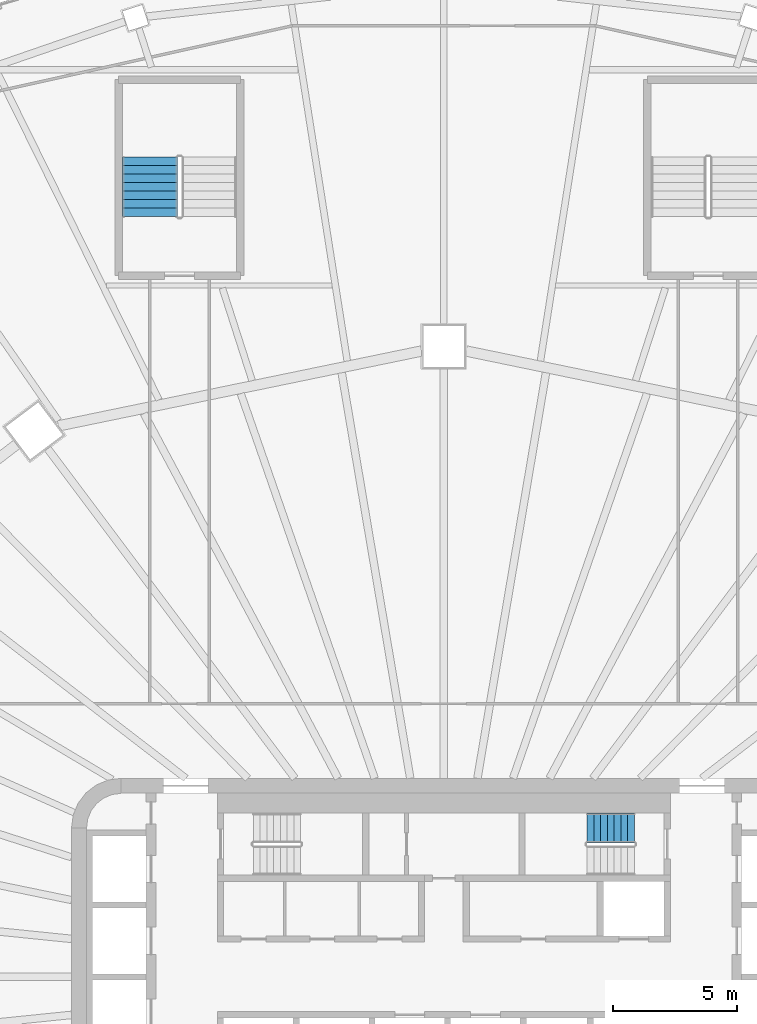
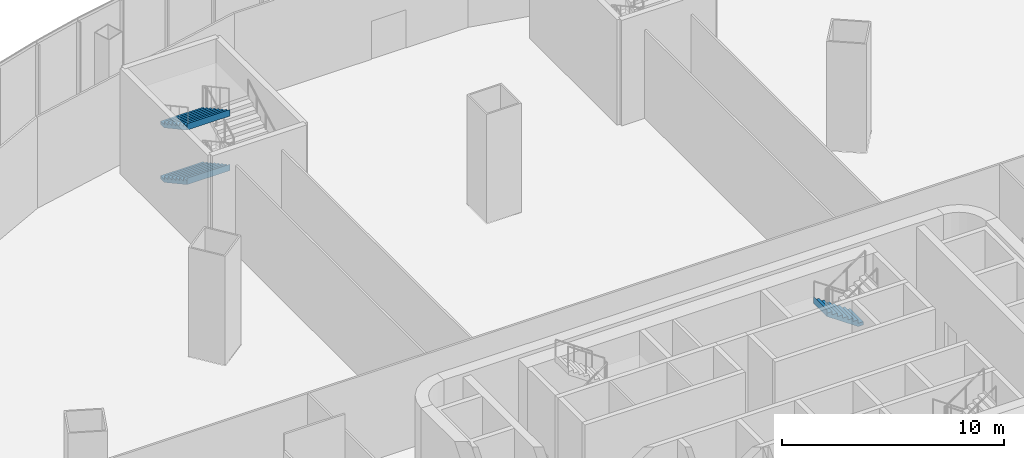
# One storey, part 32 of 37: 3 stair flights, 2 elements without a shape of their own.
"""IFC4 building model written with IfcOpenShell, lengths in metres."""

from ifc_helpers import new_model, si_unit, direction, frame, origin, place, context, subcontext, project, spatial, triangles, material, type_object, element, aggregate, save


model = new_model("IFC4")

# Units and contexts
model_context = context("Model", 3, precision=1e-05, world=origin(), true_north=direction((0.0, 1.0)))
body_context = subcontext(model_context, "Body", "Model", "MODEL_VIEW")
ifc_project = project(units=[si_unit("LENGTHUNIT", "METRE"), si_unit("AREAUNIT", "SQUARE_METRE"), si_unit("VOLUMEUNIT", "CUBIC_METRE"), si_unit("PLANEANGLEUNIT", "RADIAN"), si_unit("MASSUNIT", "GRAM", prefix="KILO")], contexts=[model_context])

# Site, building, storey
site_placement = place(None, origin())
site = spatial("IfcSite", under=ifc_project, at=site_placement, CompositionType="ELEMENT")
building_placement = place(site_placement, origin())
building = spatial("IfcBuilding", under=site, at=building_placement, Name="Sahrelin Media Tower", CompositionType="ELEMENT")
storey_placement = place(building_placement, frame((0.0, 0.0, 31.39990234375)))
storey = spatial("IfcBuildingStorey", under=building, at=storey_placement, Name="L04", CompositionType="ELEMENT", Elevation=31.39990234375)

# Stair, stair flight
ifc_material = material(Name="Concrete C40/50", Category="concrete")
stair_type_1 = type_object("IfcStairType", Name="Exit stair 1200", PredefinedType="HALF_TURN_STAIR", material=ifc_material)
placement = place(storey_placement, origin())
stair_1 = element("IfcStair", 1, at=placement, inside=storey, type_object=stair_type_1, Name="L04 Exit stair ST3", PredefinedType="HALF_TURN_STAIR")
stair_flight_type_1 = type_object("IfcStairFlightType", Name="Stair flight 1200", PredefinedType="STRAIGHT", material=ifc_material)
stair_flight_1_placement = place(storey_placement, frame((7.675048828125, 6.0, 3.0), z_axis=(0.0, 0.0, 1.0), x_axis=(-1.0, 0.0, 0.0)))
stair_flight_1 = element("IfcStairFlight", 2, at=stair_flight_1_placement, type_object=stair_flight_type_1, Name="ST3 flight 3", NumberOfRisers=8, NumberOfTreads=7, PredefinedType="STRAIGHT", RiserHeight=0.1875, TreadLength=0.271428571, context=body_context, shape_type="Tessellation", body=[
    triangles([(0.263671875, 0.60009765625, 0.0), (0.263671875, 0.300048828125, 0.0), (0.263671875, 0.0, 0.0), (0.263671875, -0.300048828125, 0.0), (0.263671875, -0.60009765625, 0.0), (1.89990234375, 0.60009765625, 1.13037109375), (1.89990234375, 0.300048828125, 1.13037109375), (1.89990234375, 0.0, 1.13037109375), (1.89990234375, -0.300048828125, 1.13037109375), (1.89990234375, -0.60009765625, 1.13037109375), (1.89990234375, 0.60009765625, 1.5), (1.89990234375, 0.300048828125, 1.5), (1.89990234375, 0.0, 1.5), (1.89990234375, -0.300048828125, 1.5), (1.89990234375, -0.60009765625, 1.5), (1.89794921875, 0.60009765625, 1.5), (1.89794921875, 0.300048828125, 1.5), (1.89794921875, 0.0, 1.5), (1.89794921875, -0.300048828125, 1.5), (1.89794921875, -0.60009765625, 1.5), (1.89794921875, 0.60009765625, 1.3125), (1.89794921875, 0.300048828125, 1.3125), (1.89794921875, 0.0, 1.3125), (1.89794921875, -0.300048828125, 1.3125), (1.89794921875, -0.60009765625, 1.3125), (1.628662109375, 0.60009765625, 1.3125), (1.628662109375, 0.300048828125, 1.3125), (1.628662109375, 0.0, 1.3125), (1.628662109375, -0.300048828125, 1.3125), (1.628662109375, -0.60009765625, 1.3125), (1.628662109375, 0.60009765625, 1.125), (1.628662109375, 0.300048828125, 1.125), (1.628662109375, 0.0, 1.125), (1.628662109375, -0.300048828125, 1.125), (1.628662109375, -0.60009765625, 1.125), (1.357177734375, 0.60009765625, 1.125), (1.357177734375, 0.300048828125, 1.125), (1.357177734375, 0.0, 1.125), (1.357177734375, -0.300048828125, 1.125), (1.357177734375, -0.60009765625, 1.125), (1.357177734375, 0.60009765625, 0.9375), (1.357177734375, 0.300048828125, 0.9375), (1.357177734375, 0.0, 0.9375), (1.357177734375, -0.300048828125, 0.9375), (1.357177734375, -0.60009765625, 0.9375), (1.085693359375, 0.60009765625, 0.9375), (1.085693359375, 0.300048828125, 0.9375), (1.085693359375, 0.0, 0.9375), (1.085693359375, -0.300048828125, 0.9375), (1.085693359375, -0.60009765625, 0.9375), (1.085693359375, 0.60009765625, 0.75), (1.085693359375, 0.300048828125, 0.75), (1.085693359375, 0.0, 0.75), (1.085693359375, -0.300048828125, 0.75), (1.085693359375, -0.60009765625, 0.75), (0.814208984375, 0.60009765625, 0.75), (0.814208984375, 0.300048828125, 0.75), (0.814208984375, 0.0, 0.75), (0.814208984375, -0.300048828125, 0.75), (0.814208984375, -0.60009765625, 0.75), (0.814208984375, 0.60009765625, 0.5625), (0.814208984375, 0.300048828125, 0.5625), (0.814208984375, 0.0, 0.5625), (0.814208984375, -0.300048828125, 0.5625), (0.814208984375, -0.60009765625, 0.5625), (0.54296875, 0.60009765625, 0.5625), (0.54296875, 0.300048828125, 0.5625), (0.54296875, 0.0, 0.5625), (0.54296875, -0.300048828125, 0.5625), (0.54296875, -0.60009765625, 0.5625), (0.54296875, 0.60009765625, 0.375), (0.54296875, 0.300048828125, 0.375), (0.54296875, 0.0, 0.375), (0.54296875, -0.300048828125, 0.375), (0.54296875, -0.60009765625, 0.375), (0.271484375, 0.60009765625, 0.375), (0.271484375, 0.300048828125, 0.375), (0.271484375, 0.0, 0.375), (0.271484375, -0.300048828125, 0.375), (0.271484375, -0.60009765625, 0.375), (0.271484375, 0.60009765625, 0.1875), (0.271484375, 0.300048828125, 0.1875), (0.271484375, 0.0, 0.1875), (0.271484375, -0.300048828125, 0.1875), (0.271484375, -0.60009765625, 0.1875), (0.0, 0.60009765625, 0.1875), (0.0, 0.300048828125, 0.1875), (0.0, 0.0, 0.1875), (0.0, -0.300048828125, 0.1875), (0.0, -0.60009765625, 0.1875), (0.0, 0.60009765625, 0.0), (0.0, 0.300048828125, 0.0), (0.0, 0.0, 0.0), (0.0, -0.300048828125, 0.0), (0.0, -0.60009765625, 0.0)], [[1, 6, 7], [1, 7, 2], [2, 7, 8], [2, 8, 3], [3, 8, 9], [3, 9, 4], [4, 9, 10], [4, 10, 5], [6, 11, 12], [6, 12, 7], [7, 12, 13], [7, 13, 8], [8, 13, 14], [8, 14, 9], [9, 14, 15], [9, 15, 10], [11, 16, 17], [11, 17, 12], [12, 17, 18], [12, 18, 13], [13, 18, 19], [13, 19, 14], [14, 19, 20], [14, 20, 15], [16, 21, 22], [16, 22, 17], [17, 22, 23], [17, 23, 18], [18, 23, 24], [18, 24, 19], [19, 24, 25], [19, 25, 20], [21, 26, 27], [21, 27, 22], [22, 27, 28], [22, 28, 23], [23, 28, 29], [23, 29, 24], [24, 29, 30], [24, 30, 25], [26, 31, 32], [26, 32, 27], [27, 32, 33], [27, 33, 28], [28, 33, 34], [28, 34, 29], [29, 34, 35], [29, 35, 30], [31, 36, 37], [31, 37, 32], [32, 37, 38], [32, 38, 33], [33, 38, 39], [33, 39, 34], [34, 39, 40], [34, 40, 35], [36, 41, 42], [36, 42, 37], [37, 42, 43], [37, 43, 38], [38, 43, 44], [38, 44, 39], [39, 44, 45], [39, 45, 40], [41, 46, 47], [41, 47, 42], [42, 47, 48], [42, 48, 43], [43, 48, 49], [43, 49, 44], [44, 49, 50], [44, 50, 45], [46, 51, 52], [46, 52, 47], [47, 52, 53], [47, 53, 48], [48, 53, 54], [48, 54, 49], [49, 54, 55], [49, 55, 50], [51, 56, 57], [51, 57, 52], [52, 57, 58], [52, 58, 53], [53, 58, 59], [53, 59, 54], [54, 59, 60], [54, 60, 55], [56, 61, 62], [56, 62, 57], [57, 62, 63], [57, 63, 58], [58, 63, 64], [58, 64, 59], [59, 64, 65], [59, 65, 60], [61, 66, 67], [61, 67, 62], [62, 67, 68], [62, 68, 63], [63, 68, 69], [63, 69, 64], [64, 69, 70], [64, 70, 65], [66, 71, 72], [66, 72, 67], [67, 72, 73], [67, 73, 68], [68, 73, 74], [68, 74, 69], [69, 74, 75], [69, 75, 70], [71, 76, 77], [71, 77, 72], [72, 77, 78], [72, 78, 73], [73, 78, 79], [73, 79, 74], [74, 79, 80], [74, 80, 75], [76, 81, 82], [76, 82, 77], [77, 82, 83], [77, 83, 78], [78, 83, 84], [78, 84, 79], [79, 84, 85], [79, 85, 80], [81, 86, 87], [81, 87, 82], [82, 87, 88], [82, 88, 83], [83, 88, 89], [83, 89, 84], [84, 89, 90], [84, 90, 85], [86, 91, 92], [86, 92, 87], [87, 92, 93], [87, 93, 88], [88, 93, 94], [88, 94, 89], [89, 94, 95], [89, 95, 90], [91, 1, 2], [91, 2, 92], [92, 2, 3], [92, 3, 93], [93, 3, 4], [93, 4, 94], [94, 4, 5], [94, 5, 95], [5, 90, 95], [1, 91, 86], [85, 75, 80], [81, 76, 71], [75, 65, 70], [71, 66, 61], [65, 55, 60], [61, 56, 51], [55, 45, 50], [51, 46, 41], [45, 35, 40], [41, 36, 31], [10, 25, 30], [6, 26, 21], [25, 15, 20], [21, 16, 11], [5, 85, 90], [1, 86, 81], [55, 65, 5], [51, 1, 61], [10, 35, 45], [6, 41, 31], [25, 10, 15], [21, 11, 6], [75, 85, 5], [71, 1, 81], [45, 55, 10], [41, 6, 51], [30, 35, 10], [26, 6, 31], [65, 75, 5], [61, 1, 71], [5, 10, 55], [1, 51, 6]], closed=True),
])
aggregate(stair_1, [stair_flight_1])

# Stair, stair flights
stair_type_2 = type_object("IfcStairType", Name="Podium stair 2225", PredefinedType="HALF_TURN_STAIR", material=ifc_material)
stair_2 = element("IfcStair", 3, at=placement, inside=storey, type_object=stair_type_2, Name="L04 Podium stair PS2", PredefinedType="HALF_TURN_STAIR")
stair_flight_type_2 = type_object("IfcStairFlightType", Name="Stair flight 2225", PredefinedType="STRAIGHT", material=ifc_material)
stair_flight_2_placement = place(storey_placement, frame((-11.83740234375, 33.02490234375, 1.5), z_axis=(0.0, 0.0, 1.0), x_axis=(0.0, -1.0, 0.0)))
stair_flight_2 = element("IfcStairFlight", 4, at=stair_flight_2_placement, type_object=stair_flight_type_2, Name="PS2 flight 2", NumberOfRisers=8, NumberOfTreads=7, PredefinedType="STRAIGHT", RiserHeight=0.1875, TreadLength=0.342857143, context=body_context, shape_type="Tessellation", body=[
    triangles([(0.3125, 1.112548828125, 0.0), (0.3125, 0.794677734375, 0.0), (0.3125, 0.476806640625, 0.0), (0.3125, 0.158935546875, 0.0), (0.3125, -0.158935546875, 0.0), (0.3125, -0.476806640625, 0.0), (0.3125, -0.794677734375, 0.0), (0.3125, -1.112548828125, 0.0), (2.39990234375, 1.112548828125, 1.1416015625), (2.39990234375, 0.794677734375, 1.1416015625), (2.39990234375, 0.476806640625, 1.1416015625), (2.39990234375, 0.158935546875, 1.1416015625), (2.39990234375, -0.158935546875, 1.1416015625), (2.39990234375, -0.476806640625, 1.1416015625), (2.39990234375, -0.794677734375, 1.1416015625), (2.39990234375, -1.112548828125, 1.1416015625), (2.39990234375, 1.112548828125, 1.5), (2.39990234375, 0.794677734375, 1.5), (2.39990234375, 0.476806640625, 1.5), (2.39990234375, 0.158935546875, 1.5), (2.39990234375, -0.158935546875, 1.5), (2.39990234375, -0.476806640625, 1.5), (2.39990234375, -0.794677734375, 1.5), (2.39990234375, -1.112548828125, 1.5), (2.39794921875, 1.112548828125, 1.5), (2.39794921875, 0.794677734375, 1.5), (2.39794921875, 0.476806640625, 1.5), (2.39794921875, 0.158935546875, 1.5), (2.39794921875, -0.158935546875, 1.5), (2.39794921875, -0.476806640625, 1.5), (2.39794921875, -0.794677734375, 1.5), (2.39794921875, -1.112548828125, 1.5), (2.39794921875, 1.112548828125, 1.3125), (2.39794921875, 0.794677734375, 1.3125), (2.39794921875, 0.476806640625, 1.3125), (2.39794921875, 0.158935546875, 1.3125), (2.39794921875, -0.158935546875, 1.3125), (2.39794921875, -0.476806640625, 1.3125), (2.39794921875, -0.794677734375, 1.3125), (2.39794921875, -1.112548828125, 1.3125), (2.05712890625, 1.112548828125, 1.3125), (2.05712890625, 0.794677734375, 1.3125), (2.05712890625, 0.476806640625, 1.3125), (2.05712890625, 0.158935546875, 1.3125), (2.05712890625, -0.158935546875, 1.3125), (2.05712890625, -0.476806640625, 1.3125), (2.05712890625, -0.794677734375, 1.3125), (2.05712890625, -1.112548828125, 1.3125), (2.05712890625, 1.112548828125, 1.125), (2.05712890625, 0.794677734375, 1.125), (2.05712890625, 0.476806640625, 1.125), (2.05712890625, 0.158935546875, 1.125), (2.05712890625, -0.158935546875, 1.125), (2.05712890625, -0.476806640625, 1.125), (2.05712890625, -0.794677734375, 1.125), (2.05712890625, -1.112548828125, 1.125), (1.71435546875, 1.112548828125, 1.125), (1.71435546875, 0.794677734375, 1.125), (1.71435546875, 0.476806640625, 1.125), (1.71435546875, 0.158935546875, 1.125), (1.71435546875, -0.158935546875, 1.125), (1.71435546875, -0.476806640625, 1.125), (1.71435546875, -0.794677734375, 1.125), (1.71435546875, -1.112548828125, 1.125), (1.71435546875, 1.112548828125, 0.9375), (1.71435546875, 0.794677734375, 0.9375), (1.71435546875, 0.476806640625, 0.9375), (1.71435546875, 0.158935546875, 0.9375), (1.71435546875, -0.158935546875, 0.9375), (1.71435546875, -0.476806640625, 0.9375), (1.71435546875, -0.794677734375, 0.9375), (1.71435546875, -1.112548828125, 0.9375), (1.371337890625, 1.112548828125, 0.9375), (1.371337890625, 0.794677734375, 0.9375), (1.371337890625, 0.476806640625, 0.9375), (1.371337890625, 0.158935546875, 0.9375), (1.371337890625, -0.158935546875, 0.9375), (1.371337890625, -0.476806640625, 0.9375), (1.371337890625, -0.794677734375, 0.9375), (1.371337890625, -1.112548828125, 0.9375), (1.371337890625, 1.112548828125, 0.75), (1.371337890625, 0.794677734375, 0.75), (1.371337890625, 0.476806640625, 0.75), (1.371337890625, 0.158935546875, 0.75), (1.371337890625, -0.158935546875, 0.75), (1.371337890625, -0.476806640625, 0.75), (1.371337890625, -0.794677734375, 0.75), (1.371337890625, -1.112548828125, 0.75), (1.028564453125, 1.112548828125, 0.75), (1.028564453125, 0.794677734375, 0.75), (1.028564453125, 0.476806640625, 0.75), (1.028564453125, 0.158935546875, 0.75), (1.028564453125, -0.158935546875, 0.75), (1.028564453125, -0.476806640625, 0.75), (1.028564453125, -0.794677734375, 0.75), (1.028564453125, -1.112548828125, 0.75), (1.028564453125, 1.112548828125, 0.5625), (1.028564453125, 0.794677734375, 0.5625), (1.028564453125, 0.476806640625, 0.5625), (1.028564453125, 0.158935546875, 0.5625), (1.028564453125, -0.158935546875, 0.5625), (1.028564453125, -0.476806640625, 0.5625), (1.028564453125, -0.794677734375, 0.5625), (1.028564453125, -1.112548828125, 0.5625), (0.685791015625, 1.112548828125, 0.5625), (0.685791015625, 0.794677734375, 0.5625), (0.685791015625, 0.476806640625, 0.5625), (0.685791015625, 0.158935546875, 0.5625), (0.685791015625, -0.158935546875, 0.5625), (0.685791015625, -0.476806640625, 0.5625), (0.685791015625, -0.794677734375, 0.5625), (0.685791015625, -1.112548828125, 0.5625), (0.685791015625, 1.112548828125, 0.375), (0.685791015625, 0.794677734375, 0.375), (0.685791015625, 0.476806640625, 0.375), (0.685791015625, 0.158935546875, 0.375), (0.685791015625, -0.158935546875, 0.375), (0.685791015625, -0.476806640625, 0.375), (0.685791015625, -0.794677734375, 0.375), (0.685791015625, -1.112548828125, 0.375), (0.3427734375, 1.112548828125, 0.375), (0.3427734375, 0.794677734375, 0.375), (0.3427734375, 0.476806640625, 0.375), (0.3427734375, 0.158935546875, 0.375), (0.3427734375, -0.158935546875, 0.375), (0.3427734375, -0.476806640625, 0.375), (0.3427734375, -0.794677734375, 0.375), (0.3427734375, -1.112548828125, 0.375), (0.3427734375, 1.112548828125, 0.1875), (0.3427734375, 0.794677734375, 0.1875), (0.3427734375, 0.476806640625, 0.1875), (0.3427734375, 0.158935546875, 0.1875), (0.3427734375, -0.158935546875, 0.1875), (0.3427734375, -0.476806640625, 0.1875), (0.3427734375, -0.794677734375, 0.1875), (0.3427734375, -1.112548828125, 0.1875), (0.0, 1.112548828125, 0.1875), (0.0, 0.794677734375, 0.1875), (0.0, 0.476806640625, 0.1875), (0.0, 0.158935546875, 0.1875), (0.0, -0.158935546875, 0.1875), (0.0, -0.476806640625, 0.1875), (0.0, -0.794677734375, 0.1875), (0.0, -1.112548828125, 0.1875), (0.0, 1.112548828125, 0.0), (0.0, 0.794677734375, 0.0), (0.0, 0.476806640625, 0.0), (0.0, 0.158935546875, 0.0), (0.0, -0.158935546875, 0.0), (0.0, -0.476806640625, 0.0), (0.0, -0.794677734375, 0.0), (0.0, -1.112548828125, 0.0)], [[1, 9, 10], [1, 10, 2], [2, 10, 11], [2, 11, 3], [3, 11, 12], [3, 12, 4], [4, 12, 13], [4, 13, 5], [5, 13, 14], [5, 14, 6], [6, 14, 15], [6, 15, 7], [7, 15, 16], [7, 16, 8], [9, 17, 18], [9, 18, 10], [10, 18, 19], [10, 19, 11], [11, 19, 20], [11, 20, 12], [12, 20, 21], [12, 21, 13], [13, 21, 22], [13, 22, 14], [14, 22, 23], [14, 23, 15], [15, 23, 24], [15, 24, 16], [17, 25, 26], [17, 26, 18], [18, 26, 27], [18, 27, 19], [19, 27, 28], [19, 28, 20], [20, 28, 29], [20, 29, 21], [21, 29, 30], [21, 30, 22], [22, 30, 31], [22, 31, 23], [23, 31, 32], [23, 32, 24], [25, 33, 34], [25, 34, 26], [26, 34, 35], [26, 35, 27], [27, 35, 36], [27, 36, 28], [28, 36, 37], [28, 37, 29], [29, 37, 38], [29, 38, 30], [30, 38, 39], [30, 39, 31], [31, 39, 40], [31, 40, 32], [33, 41, 42], [33, 42, 34], [34, 42, 43], [34, 43, 35], [35, 43, 44], [35, 44, 36], [36, 44, 45], [36, 45, 37], [37, 45, 46], [37, 46, 38], [38, 46, 47], [38, 47, 39], [39, 47, 48], [39, 48, 40], [41, 49, 50], [41, 50, 42], [42, 50, 51], [42, 51, 43], [43, 51, 52], [43, 52, 44], [44, 52, 53], [44, 53, 45], [45, 53, 54], [45, 54, 46], [46, 54, 55], [46, 55, 47], [47, 55, 56], [47, 56, 48], [49, 57, 58], [49, 58, 50], [50, 58, 59], [50, 59, 51], [51, 59, 60], [51, 60, 52], [52, 60, 61], [52, 61, 53], [53, 61, 62], [53, 62, 54], [54, 62, 63], [54, 63, 55], [55, 63, 64], [55, 64, 56], [57, 65, 66], [57, 66, 58], [58, 66, 67], [58, 67, 59], [59, 67, 68], [59, 68, 60], [60, 68, 69], [60, 69, 61], [61, 69, 70], [61, 70, 62], [62, 70, 71], [62, 71, 63], [63, 71, 72], [63, 72, 64], [65, 73, 74], [65, 74, 66], [66, 74, 75], [66, 75, 67], [67, 75, 76], [67, 76, 68], [68, 76, 77], [68, 77, 69], [69, 77, 78], [69, 78, 70], [70, 78, 79], [70, 79, 71], [71, 79, 80], [71, 80, 72], [73, 81, 82], [73, 82, 74], [74, 82, 83], [74, 83, 75], [75, 83, 84], [75, 84, 76], [76, 84, 85], [76, 85, 77], [77, 85, 86], [77, 86, 78], [78, 86, 87], [78, 87, 79], [79, 87, 88], [79, 88, 80], [81, 89, 90], [81, 90, 82], [82, 90, 91], [82, 91, 83], [83, 91, 92], [83, 92, 84], [84, 92, 93], [84, 93, 85], [85, 93, 94], [85, 94, 86], [86, 94, 95], [86, 95, 87], [87, 95, 96], [87, 96, 88], [89, 97, 98], [89, 98, 90], [90, 98, 99], [90, 99, 91], [91, 99, 100], [91, 100, 92], [92, 100, 101], [92, 101, 93], [93, 101, 102], [93, 102, 94], [94, 102, 103], [94, 103, 95], [95, 103, 104], [95, 104, 96], [97, 105, 106], [97, 106, 98], [98, 106, 107], [98, 107, 99], [99, 107, 108], [99, 108, 100], [100, 108, 109], [100, 109, 101], [101, 109, 110], [101, 110, 102], [102, 110, 111], [102, 111, 103], [103, 111, 112], [103, 112, 104], [105, 113, 114], [105, 114, 106], [106, 114, 115], [106, 115, 107], [107, 115, 116], [107, 116, 108], [108, 116, 117], [108, 117, 109], [109, 117, 118], [109, 118, 110], [110, 118, 119], [110, 119, 111], [111, 119, 120], [111, 120, 112], [113, 121, 122], [113, 122, 114], [114, 122, 123], [114, 123, 115], [115, 123, 124], [115, 124, 116], [116, 124, 125], [116, 125, 117], [117, 125, 126], [117, 126, 118], [118, 126, 127], [118, 127, 119], [119, 127, 128], [119, 128, 120], [121, 129, 130], [121, 130, 122], [122, 130, 131], [122, 131, 123], [123, 131, 132], [123, 132, 124], [124, 132, 133], [124, 133, 125], [125, 133, 134], [125, 134, 126], [126, 134, 135], [126, 135, 127], [127, 135, 136], [127, 136, 128], [129, 137, 138], [129, 138, 130], [130, 138, 139], [130, 139, 131], [131, 139, 140], [131, 140, 132], [132, 140, 141], [132, 141, 133], [133, 141, 142], [133, 142, 134], [134, 142, 143], [134, 143, 135], [135, 143, 144], [135, 144, 136], [137, 145, 146], [137, 146, 138], [138, 146, 147], [138, 147, 139], [139, 147, 148], [139, 148, 140], [140, 148, 149], [140, 149, 141], [141, 149, 150], [141, 150, 142], [142, 150, 151], [142, 151, 143], [143, 151, 152], [143, 152, 144], [145, 1, 2], [145, 2, 146], [146, 2, 3], [146, 3, 147], [147, 3, 4], [147, 4, 148], [148, 4, 5], [148, 5, 149], [149, 5, 6], [149, 6, 150], [150, 6, 7], [150, 7, 151], [151, 7, 8], [151, 8, 152], [8, 144, 152], [1, 145, 137], [136, 120, 128], [129, 121, 113], [120, 104, 112], [113, 105, 97], [104, 88, 96], [97, 89, 81], [88, 72, 80], [81, 73, 65], [72, 56, 64], [65, 57, 49], [16, 40, 48], [9, 41, 33], [40, 24, 32], [33, 25, 17], [8, 136, 144], [1, 137, 129], [8, 88, 104], [1, 97, 81], [40, 16, 24], [33, 17, 9], [120, 136, 8], [113, 1, 129], [16, 72, 88], [9, 81, 65], [48, 56, 16], [41, 9, 49], [104, 120, 8], [97, 1, 113], [72, 16, 56], [65, 49, 9], [8, 16, 88], [1, 81, 9]], closed=True),
])
stair_flight_3_placement = place(storey_placement, frame((-11.83740234375, 33.02490234375, 4.5), z_axis=(0.0, 0.0, 1.0), x_axis=(0.0, -1.0, 0.0)))
stair_flight_3 = element("IfcStairFlight", 5, at=stair_flight_3_placement, type_object=stair_flight_type_2, Name="PS2 flight 4", NumberOfRisers=8, NumberOfTreads=7, PredefinedType="STRAIGHT", RiserHeight=0.1875, TreadLength=0.342857143, context=body_context, shape_type="Tessellation", body=[
    triangles([(0.3125, 1.112548828125, 0.0), (0.3125, 0.794677734375, 0.0), (0.3125, 0.476806640625, 0.0), (0.3125, 0.158935546875, 0.0), (0.3125, -0.158935546875, 0.0), (0.3125, -0.476806640625, 0.0), (0.3125, -0.794677734375, 0.0), (0.3125, -1.112548828125, 0.0), (2.39990234375, 1.112548828125, 1.1416015625), (2.39990234375, 0.794677734375, 1.1416015625), (2.39990234375, 0.476806640625, 1.1416015625), (2.39990234375, 0.158935546875, 1.1416015625), (2.39990234375, -0.158935546875, 1.1416015625), (2.39990234375, -0.476806640625, 1.1416015625), (2.39990234375, -0.794677734375, 1.1416015625), (2.39990234375, -1.112548828125, 1.1416015625), (2.39990234375, 1.112548828125, 1.5), (2.39990234375, 0.794677734375, 1.5), (2.39990234375, 0.476806640625, 1.5), (2.39990234375, 0.158935546875, 1.5), (2.39990234375, -0.158935546875, 1.5), (2.39990234375, -0.476806640625, 1.5), (2.39990234375, -0.794677734375, 1.5), (2.39990234375, -1.112548828125, 1.5), (2.39794921875, 1.112548828125, 1.5), (2.39794921875, 0.794677734375, 1.5), (2.39794921875, 0.476806640625, 1.5), (2.39794921875, 0.158935546875, 1.5), (2.39794921875, -0.158935546875, 1.5), (2.39794921875, -0.476806640625, 1.5), (2.39794921875, -0.794677734375, 1.5), (2.39794921875, -1.112548828125, 1.5), (2.39794921875, 1.112548828125, 1.3125), (2.39794921875, 0.794677734375, 1.3125), (2.39794921875, 0.476806640625, 1.3125), (2.39794921875, 0.158935546875, 1.3125), (2.39794921875, -0.158935546875, 1.3125), (2.39794921875, -0.476806640625, 1.3125), (2.39794921875, -0.794677734375, 1.3125), (2.39794921875, -1.112548828125, 1.3125), (2.05712890625, 1.112548828125, 1.3125), (2.05712890625, 0.794677734375, 1.3125), (2.05712890625, 0.476806640625, 1.3125), (2.05712890625, 0.158935546875, 1.3125), (2.05712890625, -0.158935546875, 1.3125), (2.05712890625, -0.476806640625, 1.3125), (2.05712890625, -0.794677734375, 1.3125), (2.05712890625, -1.112548828125, 1.3125), (2.05712890625, 1.112548828125, 1.125), (2.05712890625, 0.794677734375, 1.125), (2.05712890625, 0.476806640625, 1.125), (2.05712890625, 0.158935546875, 1.125), (2.05712890625, -0.158935546875, 1.125), (2.05712890625, -0.476806640625, 1.125), (2.05712890625, -0.794677734375, 1.125), (2.05712890625, -1.112548828125, 1.125), (1.71435546875, 1.112548828125, 1.125), (1.71435546875, 0.794677734375, 1.125), (1.71435546875, 0.476806640625, 1.125), (1.71435546875, 0.158935546875, 1.125), (1.71435546875, -0.158935546875, 1.125), (1.71435546875, -0.476806640625, 1.125), (1.71435546875, -0.794677734375, 1.125), (1.71435546875, -1.112548828125, 1.125), (1.71435546875, 1.112548828125, 0.9375), (1.71435546875, 0.794677734375, 0.9375), (1.71435546875, 0.476806640625, 0.9375), (1.71435546875, 0.158935546875, 0.9375), (1.71435546875, -0.158935546875, 0.9375), (1.71435546875, -0.476806640625, 0.9375), (1.71435546875, -0.794677734375, 0.9375), (1.71435546875, -1.112548828125, 0.9375), (1.371337890625, 1.112548828125, 0.9375), (1.371337890625, 0.794677734375, 0.9375), (1.371337890625, 0.476806640625, 0.9375), (1.371337890625, 0.158935546875, 0.9375), (1.371337890625, -0.158935546875, 0.9375), (1.371337890625, -0.476806640625, 0.9375), (1.371337890625, -0.794677734375, 0.9375), (1.371337890625, -1.112548828125, 0.9375), (1.371337890625, 1.112548828125, 0.75), (1.371337890625, 0.794677734375, 0.75), (1.371337890625, 0.476806640625, 0.75), (1.371337890625, 0.158935546875, 0.75), (1.371337890625, -0.158935546875, 0.75), (1.371337890625, -0.476806640625, 0.75), (1.371337890625, -0.794677734375, 0.75), (1.371337890625, -1.112548828125, 0.75), (1.028564453125, 1.112548828125, 0.75), (1.028564453125, 0.794677734375, 0.75), (1.028564453125, 0.476806640625, 0.75), (1.028564453125, 0.158935546875, 0.75), (1.028564453125, -0.158935546875, 0.75), (1.028564453125, -0.476806640625, 0.75), (1.028564453125, -0.794677734375, 0.75), (1.028564453125, -1.112548828125, 0.75), (1.028564453125, 1.112548828125, 0.5625), (1.028564453125, 0.794677734375, 0.5625), (1.028564453125, 0.476806640625, 0.5625), (1.028564453125, 0.158935546875, 0.5625), (1.028564453125, -0.158935546875, 0.5625), (1.028564453125, -0.476806640625, 0.5625), (1.028564453125, -0.794677734375, 0.5625), (1.028564453125, -1.112548828125, 0.5625), (0.685791015625, 1.112548828125, 0.5625), (0.685791015625, 0.794677734375, 0.5625), (0.685791015625, 0.476806640625, 0.5625), (0.685791015625, 0.158935546875, 0.5625), (0.685791015625, -0.158935546875, 0.5625), (0.685791015625, -0.476806640625, 0.5625), (0.685791015625, -0.794677734375, 0.5625), (0.685791015625, -1.112548828125, 0.5625), (0.685791015625, 1.112548828125, 0.375), (0.685791015625, 0.794677734375, 0.375), (0.685791015625, 0.476806640625, 0.375), (0.685791015625, 0.158935546875, 0.375), (0.685791015625, -0.158935546875, 0.375), (0.685791015625, -0.476806640625, 0.375), (0.685791015625, -0.794677734375, 0.375), (0.685791015625, -1.112548828125, 0.375), (0.3427734375, 1.112548828125, 0.375), (0.3427734375, 0.794677734375, 0.375), (0.3427734375, 0.476806640625, 0.375), (0.3427734375, 0.158935546875, 0.375), (0.3427734375, -0.158935546875, 0.375), (0.3427734375, -0.476806640625, 0.375), (0.3427734375, -0.794677734375, 0.375), (0.3427734375, -1.112548828125, 0.375), (0.3427734375, 1.112548828125, 0.1875), (0.3427734375, 0.794677734375, 0.1875), (0.3427734375, 0.476806640625, 0.1875), (0.3427734375, 0.158935546875, 0.1875), (0.3427734375, -0.158935546875, 0.1875), (0.3427734375, -0.476806640625, 0.1875), (0.3427734375, -0.794677734375, 0.1875), (0.3427734375, -1.112548828125, 0.1875), (0.0, 1.112548828125, 0.1875), (0.0, 0.794677734375, 0.1875), (0.0, 0.476806640625, 0.1875), (0.0, 0.158935546875, 0.1875), (0.0, -0.158935546875, 0.1875), (0.0, -0.476806640625, 0.1875), (0.0, -0.794677734375, 0.1875), (0.0, -1.112548828125, 0.1875), (0.0, 1.112548828125, 0.0), (0.0, 0.794677734375, 0.0), (0.0, 0.476806640625, 0.0), (0.0, 0.158935546875, 0.0), (0.0, -0.158935546875, 0.0), (0.0, -0.476806640625, 0.0), (0.0, -0.794677734375, 0.0), (0.0, -1.112548828125, 0.0)], [[1, 9, 10], [1, 10, 2], [2, 10, 11], [2, 11, 3], [3, 11, 12], [3, 12, 4], [4, 12, 13], [4, 13, 5], [5, 13, 14], [5, 14, 6], [6, 14, 15], [6, 15, 7], [7, 15, 16], [7, 16, 8], [9, 17, 18], [9, 18, 10], [10, 18, 19], [10, 19, 11], [11, 19, 20], [11, 20, 12], [12, 20, 21], [12, 21, 13], [13, 21, 22], [13, 22, 14], [14, 22, 23], [14, 23, 15], [15, 23, 24], [15, 24, 16], [17, 25, 26], [17, 26, 18], [18, 26, 27], [18, 27, 19], [19, 27, 28], [19, 28, 20], [20, 28, 29], [20, 29, 21], [21, 29, 30], [21, 30, 22], [22, 30, 31], [22, 31, 23], [23, 31, 32], [23, 32, 24], [25, 33, 34], [25, 34, 26], [26, 34, 35], [26, 35, 27], [27, 35, 36], [27, 36, 28], [28, 36, 37], [28, 37, 29], [29, 37, 38], [29, 38, 30], [30, 38, 39], [30, 39, 31], [31, 39, 40], [31, 40, 32], [33, 41, 42], [33, 42, 34], [34, 42, 43], [34, 43, 35], [35, 43, 44], [35, 44, 36], [36, 44, 45], [36, 45, 37], [37, 45, 46], [37, 46, 38], [38, 46, 47], [38, 47, 39], [39, 47, 48], [39, 48, 40], [41, 49, 50], [41, 50, 42], [42, 50, 51], [42, 51, 43], [43, 51, 52], [43, 52, 44], [44, 52, 53], [44, 53, 45], [45, 53, 54], [45, 54, 46], [46, 54, 55], [46, 55, 47], [47, 55, 56], [47, 56, 48], [49, 57, 58], [49, 58, 50], [50, 58, 59], [50, 59, 51], [51, 59, 60], [51, 60, 52], [52, 60, 61], [52, 61, 53], [53, 61, 62], [53, 62, 54], [54, 62, 63], [54, 63, 55], [55, 63, 64], [55, 64, 56], [57, 65, 66], [57, 66, 58], [58, 66, 67], [58, 67, 59], [59, 67, 68], [59, 68, 60], [60, 68, 69], [60, 69, 61], [61, 69, 70], [61, 70, 62], [62, 70, 71], [62, 71, 63], [63, 71, 72], [63, 72, 64], [65, 73, 74], [65, 74, 66], [66, 74, 75], [66, 75, 67], [67, 75, 76], [67, 76, 68], [68, 76, 77], [68, 77, 69], [69, 77, 78], [69, 78, 70], [70, 78, 79], [70, 79, 71], [71, 79, 80], [71, 80, 72], [73, 81, 82], [73, 82, 74], [74, 82, 83], [74, 83, 75], [75, 83, 84], [75, 84, 76], [76, 84, 85], [76, 85, 77], [77, 85, 86], [77, 86, 78], [78, 86, 87], [78, 87, 79], [79, 87, 88], [79, 88, 80], [81, 89, 90], [81, 90, 82], [82, 90, 91], [82, 91, 83], [83, 91, 92], [83, 92, 84], [84, 92, 93], [84, 93, 85], [85, 93, 94], [85, 94, 86], [86, 94, 95], [86, 95, 87], [87, 95, 96], [87, 96, 88], [89, 97, 98], [89, 98, 90], [90, 98, 99], [90, 99, 91], [91, 99, 100], [91, 100, 92], [92, 100, 101], [92, 101, 93], [93, 101, 102], [93, 102, 94], [94, 102, 103], [94, 103, 95], [95, 103, 104], [95, 104, 96], [97, 105, 106], [97, 106, 98], [98, 106, 107], [98, 107, 99], [99, 107, 108], [99, 108, 100], [100, 108, 109], [100, 109, 101], [101, 109, 110], [101, 110, 102], [102, 110, 111], [102, 111, 103], [103, 111, 112], [103, 112, 104], [105, 113, 114], [105, 114, 106], [106, 114, 115], [106, 115, 107], [107, 115, 116], [107, 116, 108], [108, 116, 117], [108, 117, 109], [109, 117, 118], [109, 118, 110], [110, 118, 119], [110, 119, 111], [111, 119, 120], [111, 120, 112], [113, 121, 122], [113, 122, 114], [114, 122, 123], [114, 123, 115], [115, 123, 124], [115, 124, 116], [116, 124, 125], [116, 125, 117], [117, 125, 126], [117, 126, 118], [118, 126, 127], [118, 127, 119], [119, 127, 128], [119, 128, 120], [121, 129, 130], [121, 130, 122], [122, 130, 131], [122, 131, 123], [123, 131, 132], [123, 132, 124], [124, 132, 133], [124, 133, 125], [125, 133, 134], [125, 134, 126], [126, 134, 135], [126, 135, 127], [127, 135, 136], [127, 136, 128], [129, 137, 138], [129, 138, 130], [130, 138, 139], [130, 139, 131], [131, 139, 140], [131, 140, 132], [132, 140, 141], [132, 141, 133], [133, 141, 142], [133, 142, 134], [134, 142, 143], [134, 143, 135], [135, 143, 144], [135, 144, 136], [137, 145, 146], [137, 146, 138], [138, 146, 147], [138, 147, 139], [139, 147, 148], [139, 148, 140], [140, 148, 149], [140, 149, 141], [141, 149, 150], [141, 150, 142], [142, 150, 151], [142, 151, 143], [143, 151, 152], [143, 152, 144], [145, 1, 2], [145, 2, 146], [146, 2, 3], [146, 3, 147], [147, 3, 4], [147, 4, 148], [148, 4, 5], [148, 5, 149], [149, 5, 6], [149, 6, 150], [150, 6, 7], [150, 7, 151], [151, 7, 8], [151, 8, 152], [8, 144, 152], [1, 145, 137], [136, 120, 128], [129, 121, 113], [120, 104, 112], [113, 105, 97], [104, 88, 96], [97, 89, 81], [88, 72, 80], [81, 73, 65], [72, 56, 64], [65, 57, 49], [16, 40, 48], [9, 41, 33], [40, 24, 32], [33, 25, 17], [8, 136, 144], [1, 137, 129], [8, 88, 104], [1, 97, 81], [40, 16, 24], [33, 17, 9], [120, 136, 8], [113, 1, 129], [16, 72, 88], [9, 81, 65], [48, 56, 16], [41, 9, 49], [104, 120, 8], [97, 1, 113], [72, 16, 56], [65, 49, 9], [8, 16, 88], [1, 81, 9]], closed=True),
])
aggregate(stair_2, [stair_flight_2, stair_flight_3])

save(model, "model.ifc")
